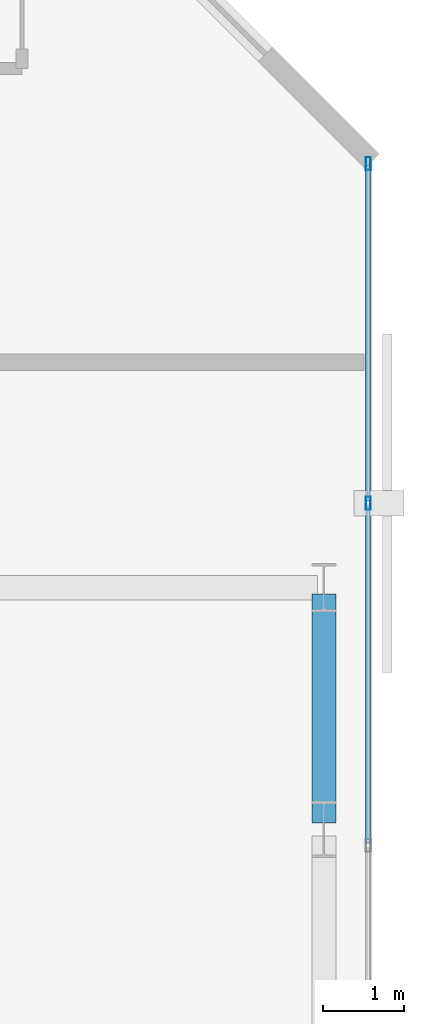
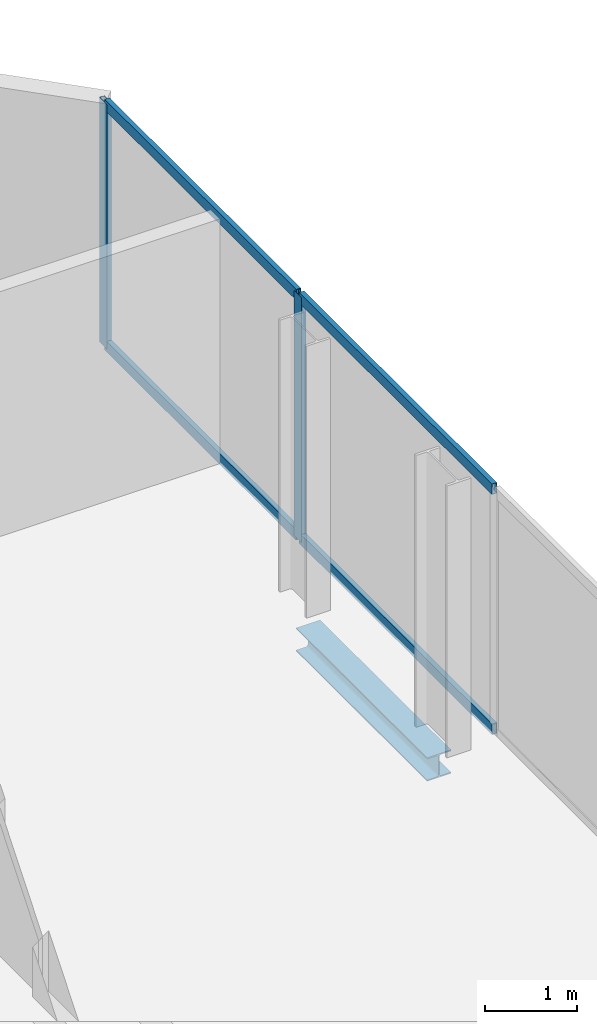
# One storey, part 26 of 32: 6 members, 1 beam, 1 element without a shape of its own.
"""IFC4 building model written with IfcOpenShell, lengths in metres."""

from ifc_helpers import new_model, si_unit, direction, frame, origin, origin_2d, place, context, subcontext, project, spatial, hollow_rectangle, i_section, extrude, material, layer, layer_set, material_profile, profile_set, type_object, element, aggregate, save


model = new_model("IFC4")

# Units and contexts
model_context = context("Model", 3, precision=1e-05, world=origin(), true_north=direction((0.0, 1.0)))
body_context = subcontext(model_context, "Body", "Model", "MODEL_VIEW")
ifc_project = project(units=[si_unit("LENGTHUNIT", "METRE"), si_unit("AREAUNIT", "SQUARE_METRE"), si_unit("VOLUMEUNIT", "CUBIC_METRE"), si_unit("PLANEANGLEUNIT", "RADIAN"), si_unit("MASSUNIT", "GRAM", prefix="KILO")], contexts=[model_context])

# Site, building, storey
site_placement = place(None, origin())
site = spatial("IfcSite", under=ifc_project, at=site_placement, CompositionType="ELEMENT")
building_placement = place(site_placement, origin())
building = spatial("IfcBuilding", under=site, at=building_placement, Name="Catumbela Crestline Tower", CompositionType="ELEMENT")
storey_placement = place(building_placement, frame((0.0, 0.0, 140.4)))
storey = spatial("IfcBuildingStorey", under=building, at=storey_placement, Name="L36", CompositionType="ELEMENT", Elevation=140.4)

# Curtain wall, members
ifc_material_1 = material(Name="Aluminium alloy AW-6060-T66", Category="aluminium")
ifc_layer = layer(ifc_material_1, 0.18, Name="Aluminium alloy AW-6060-T66")
ifc_layer_set = layer_set([ifc_layer], Name="Aluminium alloy AW-6060-T66")
curtain_wall_type = type_object("IfcCurtainWallType", Name="CWU-Z2", PredefinedType="USERDEFINED", material=ifc_layer_set)
curtain_wall_placement = place(storey_placement, origin())
curtain_wall = element("IfcCurtainWall", 1, at=curtain_wall_placement, inside=storey, type_object=curtain_wall_type, Name="L36 Unitised Curtain Wall CW-L36-E5S1", ObjectType="UNITISED", PredefinedType="USERDEFINED")
ifc_material_profile_1 = material_profile(ifc_material_1, hollow_rectangle(XDim=0.06, YDim=0.16, WallThickness=0.004, at=origin_2d()), Name="ALU 160x60x4")
ifc_profile_set_1 = profile_set([ifc_material_profile_1], Name="Aluminium alloy AW-6060-T66")
member_type_1 = type_object("IfcMemberType", Name="MUL-160X60", PredefinedType="MULLION", material=ifc_profile_set_1)
member_1_placement = place(storey_placement, frame((50.95, 40.25, 0.0), z_axis=(0.0, 0.0, 1.0), x_axis=(-1.0, 0.0, 0.0)))
member_1 = element("IfcMember", 2, at=member_1_placement, type_object=member_type_1, Name="CWU-Z2 mullion 4", PredefinedType="MULLION", context=body_context, shape_type="SweptSolid", body=[
    extrude(hollow_rectangle(XDim=0.06, YDim=0.16, WallThickness=0.004, at=origin_2d()), origin(), (0.0, 0.0, 1.0), 3.24),
])
member_2_placement = place(storey_placement, frame((50.95, 44.4675, 0.0), z_axis=(0.0, 0.0, 1.0), x_axis=(-1.0, 0.0, 0.0)))
member_2 = element("IfcMember", 3, at=member_2_placement, type_object=member_type_1, Name="CWU-Z2 mullion 5", PredefinedType="MULLION", context=body_context, shape_type="SweptSolid", body=[
    extrude(hollow_rectangle(XDim=0.06, YDim=0.16, WallThickness=0.004, at=origin_2d()), origin(), (0.0, 0.0, 1.0), 3.24),
])

# Beam
ifc_material_2 = material(Name="Structural steel S355J2", Category="steel")
ifc_material_profile_2 = material_profile(ifc_material_2, i_section(OverallWidth=0.3, OverallDepth=0.31, WebThickness=0.009, FlangeThickness=0.0155, FilletRadius=0.027, at=origin_2d()), Name="HEA 320")
ifc_profile_set_2 = profile_set([ifc_material_profile_2], Name="Structural steel S355J2")
beam_type = type_object("IfcBeamType", Name="BS-HEA320", PredefinedType="SPANDREL", material=ifc_profile_set_2)
beam_placement = place(storey_placement, frame((50.4, 36.28, -0.415), z_axis=(0.0, 1.0, 0.0), x_axis=(-1.0, 0.0, 0.0)))
element("IfcBeam", 4, at=beam_placement, inside=storey, type_object=beam_type, Name="L36 Spandrel SP-L36-SN36", PredefinedType="SPANDREL", context=body_context, shape_type="SweptSolid", body=[
    extrude(i_section(OverallWidth=0.3, OverallDepth=0.31, WebThickness=0.009, FlangeThickness=0.0155, FilletRadius=0.027, at=origin_2d()), origin(), (0.0, 0.0, 1.0), 2.84),
])

# Member
ifc_material_profile_3 = material_profile(ifc_material_1, hollow_rectangle(XDim=0.06, YDim=0.14, WallThickness=0.004, at=origin_2d()), Name="ALU 140x60x4")
ifc_profile_set_3 = profile_set([ifc_material_profile_3], Name="Aluminium alloy AW-6060-T66")
member_type_2 = type_object("IfcMemberType", Name="TRN-140X60", PredefinedType="USERDEFINED", material=ifc_profile_set_3)
member_3_placement = place(storey_placement, frame((50.95, 36.0325, 0.03), z_axis=(0.0, 1.0, 0.0), x_axis=(-1.0, 0.0, 0.0)))
member_3 = element("IfcMember", 5, at=member_3_placement, type_object=member_type_2, Name="CWU-Z2 transom 3.1", ObjectType="TRANSOM", PredefinedType="USERDEFINED", context=body_context, shape_type="SweptSolid", body=[
    extrude(hollow_rectangle(XDim=0.06, YDim=0.14, WallThickness=0.004, at=origin_2d()), origin(), (0.0, 0.0, 1.0), 4.185),
])

member_4_placement = place(storey_placement, frame((50.95, 36.0325, 3.21), z_axis=(0.0, 1.0, 0.0), x_axis=(-1.0, 0.0, 0.0)))
member_4 = element("IfcMember", 6, at=member_4_placement, type_object=member_type_2, Name="CWU-Z2 transom 3.2", ObjectType="TRANSOM", PredefinedType="USERDEFINED", context=body_context, shape_type="SweptSolid", body=[
    extrude(hollow_rectangle(XDim=0.06, YDim=0.14, WallThickness=0.004, at=origin_2d()), origin(), (0.0, 0.0, 1.0), 4.185),
])

member_5_placement = place(storey_placement, frame((50.95, 40.2825, 0.03), z_axis=(0.0, 1.0, 0.0), x_axis=(-1.0, 0.0, 0.0)))
member_5 = element("IfcMember", 7, at=member_5_placement, type_object=member_type_2, Name="CWU-Z2 transom 4.1", ObjectType="TRANSOM", PredefinedType="USERDEFINED", context=body_context, shape_type="SweptSolid", body=[
    extrude(hollow_rectangle(XDim=0.06, YDim=0.14, WallThickness=0.004, at=origin_2d()), origin(), (0.0, 0.0, 1.0), 4.1525),
])

member_6_placement = place(storey_placement, frame((50.95, 40.2825, 3.21), z_axis=(0.0, 1.0, 0.0), x_axis=(-1.0, 0.0, 0.0)))
member_6 = element("IfcMember", 8, at=member_6_placement, type_object=member_type_2, Name="CWU-Z2 transom 4.2", ObjectType="TRANSOM", PredefinedType="USERDEFINED", context=body_context, shape_type="SweptSolid", body=[
    extrude(hollow_rectangle(XDim=0.06, YDim=0.14, WallThickness=0.004, at=origin_2d()), origin(), (0.0, 0.0, 1.0), 4.1525),
])

aggregate(curtain_wall, [member_1, member_2, member_3, member_4, member_5, member_6])

save(model, "model.ifc")
